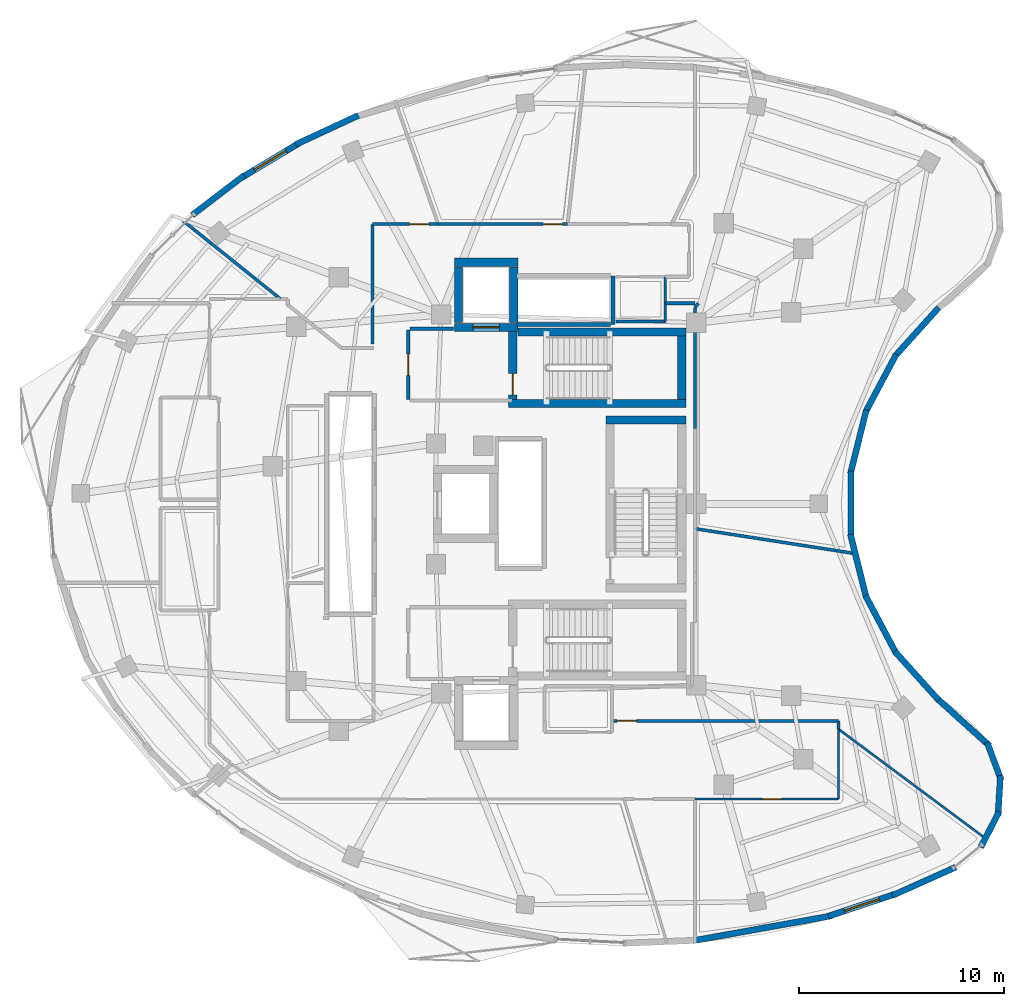
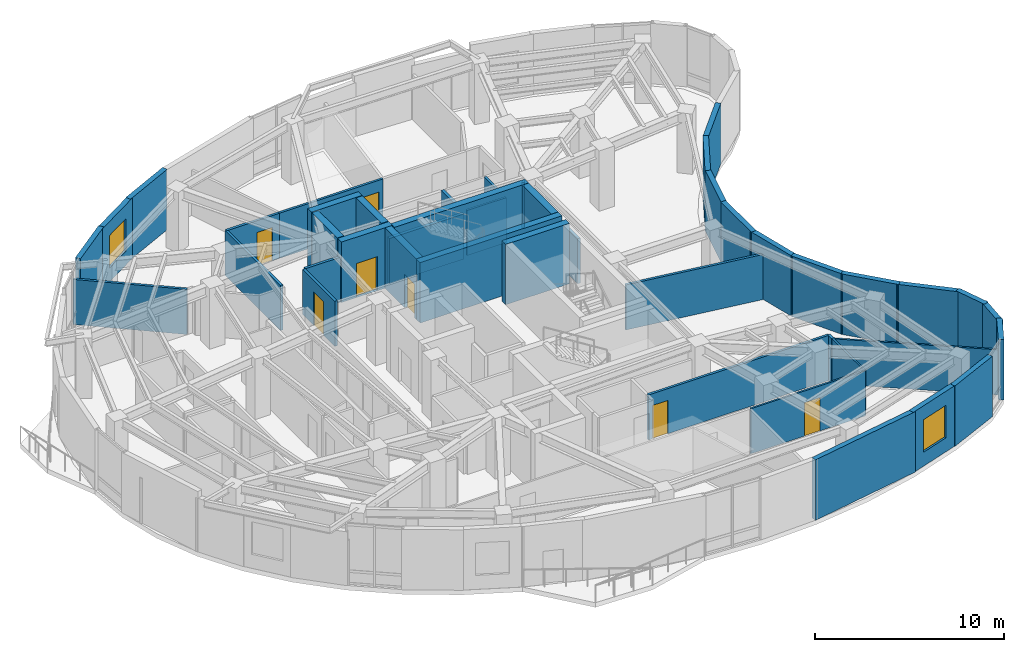
# One storey, part 10 of 14: 45 walls, 7 doors, 2 windows, 9 openings.
"""IFC4 building model written with IfcOpenShell, lengths in metres."""

import ifcopenshell
import ifcopenshell.guid

model = None  # the IFC model being written
_history = None  # IfcOwnerHistory: only IFC2X3 demands one
_inside = {}  # id of a spatial element -> (the spatial element, [elements in it])
_under = {}  # id of a project, library or spatial element -> (it, [spatial elements below it])
_declared = {}  # id of a project -> (the project, [libraries it declares])
_typed = {}  # id of a type object -> (the type object, [elements of that type])
_made_of = {}  # id of a material, layer set ... -> (it, [elements and type objects made of it])


def new_model(schema):
    """Start an empty IFC model of exactly this schema.

    Asked for "IFC4X3", IfcOpenShell would pick the latest addendum, in which some entities
    have other attributes; the version numbers below select the first issue.
    IFC2X3 requires an IfcOwnerHistory on every rooted entity: one is made here for all.
    """
    global model, _history
    if schema == "IFC4X3":
        model = ifcopenshell.file(schema_version=(4, 3, 0, 0))
    else:
        model = ifcopenshell.file(schema=schema)
    _inside.clear()
    _under.clear()
    _declared.clear()
    _typed.clear()
    _made_of.clear()
    _history = None
    if model.schema == "IFC2X3":
        org = make("IfcOrganization", Name="unknown")
        user = make(
            "IfcPersonAndOrganization",
            ThePerson=make("IfcPerson", FamilyName="unknown"),
            TheOrganization=org,
        )
        app = make(
            "IfcApplication",
            ApplicationDeveloper=org,
            Version="unknown",
            ApplicationFullName="unknown",
            ApplicationIdentifier="unknown",
        )
        _history = make(
            "IfcOwnerHistory",
            OwningUser=user,
            OwningApplication=app,
            ChangeAction="ADDED",
            CreationDate=0,
        )
    return model


def make(cls, **values):
    """One entity of the class cls with the attributes given. An attribute that is None is left unset."""
    return model.create_entity(
        cls, **{name: value for name, value in values.items() if value is not None}
    )


def rooted(cls, **values):
    """An entity with a GlobalId (a new one), such as an element, a storey or a relation."""
    return make(cls, GlobalId=ifcopenshell.guid.new(), OwnerHistory=_history, **values)


def si_unit(unit_type, name, prefix=None):
    """IfcSIUnit, for example si_unit("LENGTHUNIT", "METRE", prefix="MILLI")."""
    return make("IfcSIUnit", UnitType=unit_type, Prefix=prefix, Name=name)


def assignment(units):
    """IfcUnitAssignment: the units of a project."""
    return None if units is None else make("IfcUnitAssignment", Units=units)


def point(xyz):
    """IfcCartesianPoint."""
    return None if xyz is None else make("IfcCartesianPoint", Coordinates=xyz)


def direction(xyz):
    """IfcDirection."""
    return None if xyz is None else make("IfcDirection", DirectionRatios=xyz)


def frame(location, z_axis=None, x_axis=None):
    """IfcAxis2Placement3D, a coordinate frame: its origin and axes. An axis left out is left unset."""
    return make(
        "IfcAxis2Placement3D",
        Location=point(location),
        Axis=direction(z_axis),
        RefDirection=direction(x_axis),
    )


def frame_2d(location, x_axis=None):
    """IfcAxis2Placement2D, a coordinate frame in the plane: its origin and x axis."""
    return make(
        "IfcAxis2Placement2D", Location=point(location), RefDirection=direction(x_axis)
    )


def origin():
    """The frame at (0, 0, 0) with its axes left unset."""
    return frame((0.0, 0.0, 0.0))


def place(relative_to, where):
    """IfcLocalPlacement: puts the frame where relative to a parent placement (None: the world)."""
    return make(
        "IfcLocalPlacement", PlacementRelTo=relative_to, RelativePlacement=where
    )


def context(
    kind, dimensions, precision=None, world=None, true_north=None, identifier=None
):
    """IfcGeometricRepresentationContext, for example the 3D "Model" context."""
    return make(
        "IfcGeometricRepresentationContext",
        ContextIdentifier=identifier,
        ContextType=kind,
        CoordinateSpaceDimension=dimensions,
        Precision=precision,
        WorldCoordinateSystem=world,
        TrueNorth=true_north,
    )


def subcontext(parent, identifier, kind, view, scale=None):
    """IfcGeometricRepresentationSubContext, for example "Body" below "Model"."""
    return make(
        "IfcGeometricRepresentationSubContext",
        ContextIdentifier=identifier,
        ContextType=kind,
        ParentContext=parent,
        TargetScale=scale,
        TargetView=view,
    )


def project(units=None, contexts=None):
    """IfcProject with its units and contexts."""
    return rooted(
        "IfcProject",
        Name="project",
        RepresentationContexts=contexts,
        UnitsInContext=assignment(units),
    )


def spatial(cls, under=None, at=None, **own):
    """A site, building, storey or space (cls), placed at a placement, below another one or the project."""
    s = rooted(cls, ObjectPlacement=at, **own)
    if under is not None:
        _under.setdefault(under.id(), (under, []))[1].append(s)
    return s


def profile(cls, at=None, kind="AREA", **sizes):
    """A parametric profile (cls). Its sizes go by their IFC names, for example OverallWidth=200.0."""
    return make(cls, ProfileType=kind, Position=at, **sizes)


def rectangle(**sizes):
    """IfcRectangleProfileDef."""
    return profile("IfcRectangleProfileDef", **sizes)


def extrude(swept, where, along, depth):
    """IfcExtrudedAreaSolid: the profile swept, set in the frame where, extruded along a direction by depth."""
    return make(
        "IfcExtrudedAreaSolid",
        SweptArea=swept,
        Position=where,
        ExtrudedDirection=direction(along),
        Depth=depth,
    )


def shape(context_of_items, identifier, shape_type, items):
    """IfcShapeRepresentation: the items that make up one representation, for example the "Body"."""
    return make(
        "IfcShapeRepresentation",
        ContextOfItems=context_of_items,
        RepresentationIdentifier=identifier,
        RepresentationType=shape_type,
        Items=items,
    )


def material(Name=None, Category=None):
    """IfcMaterial."""
    return make("IfcMaterial", Name=Name, Category=Category)


def layer(
    of_material, thickness, ventilated=None, Name=None, Category=None, Priority=None
):
    """IfcMaterialLayer: one layer of a wall or slab, of a material (None: an air gap)."""
    return make(
        "IfcMaterialLayer",
        Material=of_material,
        LayerThickness=thickness,
        IsVentilated=ventilated,
        Name=Name,
        Category=Category,
        Priority=Priority,
    )


def layer_set(layers, Name=None):
    """IfcMaterialLayerSet."""
    return make("IfcMaterialLayerSet", MaterialLayers=layers, LayerSetName=Name)


def made_of(thing, what):
    """Note that an element or type object is made of a material, layer set ...; save() writes the relation."""
    if what is not None:
        _made_of.setdefault(what.id(), (what, []))[1].append(thing)
    return thing


def type_object(cls, material=None, **own):
    """A type object (cls), such as IfcWallType, which elements share."""
    return made_of(rooted(cls, **own), material)


def element(
    cls,
    number,
    at=None,
    inside=None,
    cuts=None,
    type_object=None,
    material=None,
    context=None,
    identifier="Body",
    shape_type=None,
    held_by="IfcProductDefinitionShape",
    body=None,
    shapes=None,
    **own,
):
    """One element of the class cls, such as IfcWall. Its Tag is "e" and its number.

    at: its placement. inside: the storey or other place that contains it. cuts: it is an
    opening in that element (IfcRelVoidsElement). A single representation is given by context,
    identifier, shape_type and body (its items); several are given by shapes. held_by: the class
    of the entity that holds the representations. save() writes the other relations.
    """
    e = rooted(cls, Tag="e%d" % number, ObjectPlacement=at, **own)
    if body is not None:
        shapes = [shape(context, identifier, shape_type, body)]
    if shapes is not None:
        e.Representation = make(held_by, Representations=shapes)
    if inside is not None:
        _inside.setdefault(inside.id(), (inside, []))[1].append(e)
    if cuts is not None:
        rooted(
            "IfcRelVoidsElement", RelatingBuildingElement=cuts, RelatedOpeningElement=e
        )
    if type_object is not None:
        _typed.setdefault(type_object.id(), (type_object, []))[1].append(e)
    return made_of(e, material)


def fill(opening, filler):
    """IfcRelFillsElement: the door or window that sits in an opening."""
    return rooted(
        "IfcRelFillsElement",
        RelatingOpeningElement=opening,
        RelatedBuildingElement=filler,
    )


def aggregate(whole, parts):
    """IfcRelAggregates: a whole, such as a stair, and the parts it consists of."""
    return rooted("IfcRelAggregates", RelatingObject=whole, RelatedObjects=parts)


def save(model, path):
    """Write the relations noted so far, then the file.

    IfcRelAggregates (storeys below a building ...), IfcRelContainedInSpatialStructure (elements
    in a storey), IfcRelDefinesByType, IfcRelAssociatesMaterial and IfcRelDeclares: one each for
    every whole, place, type object, material and project.
    """
    for whole, parts in _under.values():
        aggregate(whole, parts)
    for where, things in _inside.values():
        rooted(
            "IfcRelContainedInSpatialStructure",
            RelatedElements=things,
            RelatingStructure=where,
        )
    for kind, things in _typed.values():
        rooted("IfcRelDefinesByType", RelatedObjects=things, RelatingType=kind)
    for what, things in _made_of.values():
        rooted("IfcRelAssociatesMaterial", RelatedObjects=things, RelatingMaterial=what)
    for by, libraries in _declared.values():
        rooted("IfcRelDeclares", RelatingContext=by, RelatedDefinitions=libraries)
    model.write(path)


model = new_model("IFC4")

# Units and contexts
model_context = context("Model", 3, precision=1e-05, world=origin(), true_north=direction((0.0, 1.0)))
body_context = subcontext(model_context, "Body", "Model", "MODEL_VIEW")
ifc_project = project(units=[si_unit("LENGTHUNIT", "METRE"), si_unit("AREAUNIT", "SQUARE_METRE"), si_unit("VOLUMEUNIT", "CUBIC_METRE"), si_unit("PLANEANGLEUNIT", "RADIAN"), si_unit("MASSUNIT", "GRAM", prefix="KILO")], contexts=[model_context])

# Site, building, storey
site_placement = place(None, origin())
site = spatial("IfcSite", under=ifc_project, at=site_placement, CompositionType="ELEMENT")
building_placement = place(site_placement, origin())
building = spatial("IfcBuilding", under=site, at=building_placement, Name="Korentha Bioscience Tower", CompositionType="ELEMENT")
storey_placement = place(building_placement, frame((0.0, 0.0, 247.800048828125)))
storey = spatial("IfcBuildingStorey", under=building, at=storey_placement, Name="L57", CompositionType="ELEMENT", Elevation=247.800048828125)

# Wall, opening, door
ifc_material_1 = material(Name="Double-Stud Acoustic Gypsum", Category="gypsum")
ifc_layer_1 = layer(ifc_material_1, 0.14990234375, Name="Double-Stud Acoustic Gypsum")
ifc_layer_set_1 = layer_set([ifc_layer_1], Name="Double-Stud Acoustic Gypsum (IW-L150)")
wall_type_1 = type_object("IfcWallType", Name="Acoustic Laboratory Partition Wall 150", PredefinedType="PARTITIONING", material=ifc_layer_set_1)
wall_1_placement = place(storey_placement, frame((44.5, 16.409912109375, 0.0), z_axis=(0.0, 0.0, 1.0), x_axis=(-1.0, 0.0, 0.0)))
wall_1 = element("IfcWall", 1, at=wall_1_placement, inside=storey, type_object=wall_type_1, Name="L57 Daylight Break and Coffee Bar 06 Entrance Wall", PredefinedType="PARTITIONING", context=body_context, shape_type="SweptSolid", body=[
    extrude(rectangle(XDim=11.0400390625, YDim=0.14990234375, at=frame_2d((5.52001953125, 0.0))), origin(), (0.0, 0.0, 1.0), 2.909912109375),
])
opening_1_placement = place(wall_1_placement, frame((9.85009765625, 0.0, 0.0)))
opening_1 = element("IfcOpeningElement", 2, at=opening_1_placement, cuts=wall_1, Name="Opening ID-10L", PredefinedType="OPENING", context=body_context, shape_type="SweptSolid", body=[
    extrude(rectangle(XDim=0.949951171875, YDim=2.14990234375, at=frame_2d((0.47509765625, 1.074951171875))), frame((0.0, 0.08984375, 0.0), z_axis=(0.0, -1.0, 0.0), x_axis=(1.0, 0.0, 0.0)), (0.0, 0.0, 1.0), 0.1796875),
])
ifc_material_2 = material(Name="Phenolic Laminate Timber Core", Category="wood")
door_type_1 = type_object("IfcDoorType", Name="Laboratory Single Leaf Door 950x2150 Left", OperationType="SINGLE_SWING_LEFT", PredefinedType="DOOR", material=ifc_material_2)
door_1_placement = place(opening_1_placement, origin())
door_1 = element("IfcDoor", 3, at=door_1_placement, inside=storey, type_object=door_type_1, Name="L57 Daylight Break and Coffee Bar 06 Door", OperationType="SINGLE_SWING_LEFT", OverallHeight=2.14990234375, OverallWidth=0.949951171875, PredefinedType="DOOR", context=body_context, shape_type="SweptSolid", body=[
    extrude(rectangle(XDim=0.949951171875, YDim=2.14990234375, at=frame_2d((0.47509765625, 1.074951171875))), frame((0.0, 0.02490234375, 0.0), z_axis=(0.0, -1.0, 0.0), x_axis=(1.0, 0.0, 0.0)), (0.0, 0.0, 1.0), 0.050048828125),
])
fill(opening_1, door_1)

wall_2_placement = place(storey_placement, frame((24.9482421875, 40.659912109375, 0.0), z_axis=(0.0, 0.0, 1.0), x_axis=(-1.0, 0.0, 0.0)))
wall_2 = element("IfcWall", 4, at=wall_2_placement, inside=storey, type_object=wall_type_1, Name="L57 Lyophilization Freeze-Drying Room 10 Entrance Wall", PredefinedType="PARTITIONING", context=body_context, shape_type="SweptSolid", body=[
    extrude(rectangle(XDim=3.1982421875, YDim=0.14990234375, at=frame_2d((1.59912109375, 0.0))), origin(), (0.0, 0.0, 1.0), 2.909912109375),
])
opening_2_placement = place(wall_2_placement, frame((0.43701171875, 0.0, 0.0)))
opening_2 = element("IfcOpeningElement", 5, at=opening_2_placement, cuts=wall_2, Name="Opening ID-10L", PredefinedType="OPENING", context=body_context, shape_type="SweptSolid", body=[
    extrude(rectangle(XDim=0.949951171875, YDim=2.14990234375, at=frame_2d((0.47509765625, 1.074951171875))), frame((0.0, 0.08984375, 0.0), z_axis=(0.0, -1.0, 0.0), x_axis=(1.0, 0.0, 0.0)), (0.0, 0.0, 1.0), 0.1796875),
])
door_2_placement = place(opening_2_placement, origin())
door_2 = element("IfcDoor", 6, at=door_2_placement, inside=storey, type_object=door_type_1, Name="L57 Lyophilization Freeze-Drying Room 10 Door", OperationType="SINGLE_SWING_LEFT", OverallHeight=2.14990234375, OverallWidth=0.949951171875, PredefinedType="DOOR", context=body_context, shape_type="SweptSolid", body=[
    extrude(rectangle(XDim=0.949951171875, YDim=2.14990234375, at=frame_2d((0.47509765625, 1.074951171875))), frame((0.0, 0.02490234375, 0.0), z_axis=(0.0, -1.0, 0.0), x_axis=(1.0, 0.0, 0.0)), (0.0, 0.0, 1.0), 0.050048828125),
])
fill(opening_2, door_2)

# Walls
wall_3_placement = place(storey_placement, frame((37.502197265625, 25.7900390625, 0.0), z_axis=(0.0, 0.0, 1.0), x_axis=(0.988150450313, -0.15348839548, 0.0)))
element("IfcWall", 7, at=wall_3_placement, inside=storey, type_object=wall_type_1, Name="L57 Interior Partition 050", PredefinedType="PARTITIONING", context=body_context, shape_type="SweptSolid", body=[
    extrude(rectangle(XDim=7.97216796875, YDim=0.14990234375, at=frame_2d((3.986083984375, 0.0))), origin(), (0.0, 0.0, 1.0), 2.909912109375),
])
wall_4_placement = place(storey_placement, frame((44.510009765625, 16.010009765625, 0.0), z_axis=(0.0, 0.0, 1.0), x_axis=(0.0, 1.0, 0.0)))
element("IfcWall", 8, at=wall_4_placement, inside=storey, type_object=wall_type_1, Name="L57 Interior Partition 051", PredefinedType="PARTITIONING", context=body_context, shape_type="SweptSolid", body=[
    extrude(rectangle(XDim=0.389892578125, YDim=0.14990234375, at=frame_2d((0.19482421875, 0.0))), origin(), (0.0, 0.0, 1.0), 2.909912109375),
])
wall_5_placement = place(storey_placement, frame((21.739990234375, 40.64990234375, 0.0), z_axis=(0.0, 0.0, 1.0), x_axis=(0.0, -1.0, 0.0)))
element("IfcWall", 9, at=wall_5_placement, inside=storey, type_object=wall_type_1, Name="L57 Interior Partition 064", PredefinedType="PARTITIONING", context=body_context, shape_type="SweptSolid", body=[
    extrude(rectangle(XDim=5.849853515625, YDim=0.14990234375, at=frame_2d((2.9248046875, 0.0))), origin(), (0.0, 0.0, 1.0), 2.909912109375),
])
wall_6_placement = place(storey_placement, frame((17.2529296875, 37.010009765625, 0.0), z_axis=(0.0, 0.0, 1.0), x_axis=(-0.779948830135, 0.625843288987, 0.0)))
element("IfcWall", 10, at=wall_6_placement, inside=storey, type_object=wall_type_1, Name="L57 Interior Partition 069", PredefinedType="PARTITIONING", context=body_context, shape_type="SweptSolid", body=[
    extrude(rectangle(XDim=6.08984375, YDim=0.14990234375, at=frame_2d((3.044921875, 0.0))), origin(), (0.0, 0.0, 1.0), 2.909912109375),
])

# Wall, opening, door
ifc_material_3 = material(Name="Insulated Aluminium Honeycomb Panel", Category="aluminium")
ifc_layer_2 = layer(ifc_material_3, 0.139892578125, Name="Insulated Aluminium Honeycomb Panel")
ifc_layer_set_2 = layer_set([ifc_layer_2], Name="Insulated Aluminium Honeycomb Panel (IW-F60)")
wall_type_2 = type_object("IfcWallType", Name="Cleanroom Flush Metal Panel Partition 140", PredefinedType="PARTITIONING", material=ifc_layer_set_2)
wall_7_placement = place(storey_placement, frame((31.2666015625, 40.659912109375, 0.0), z_axis=(0.0, 0.0, 1.0), x_axis=(-1.0, 0.0, 0.0)))
wall_7 = element("IfcWall", 11, at=wall_7_placement, inside=storey, type_object=wall_type_2, Name="L57 Vaccine Formulation Cleanroom 09 Entrance Wall", PredefinedType="PARTITIONING", context=body_context, shape_type="SweptSolid", body=[
    extrude(rectangle(XDim=6.307861328125, YDim=0.139892578125, at=frame_2d((3.15380859375, 0.0))), origin(), (0.0, 0.0, 1.0), 2.909912109375),
])
opening_3_placement = place(wall_7_placement, frame((0.239990234375, 0.0, 0.0)))
opening_3 = element("IfcOpeningElement", 12, at=opening_3_placement, cuts=wall_7, Name="Opening ID-10R", PredefinedType="OPENING", context=body_context, shape_type="SweptSolid", body=[
    extrude(rectangle(XDim=0.949951171875, YDim=2.14990234375, at=frame_2d((0.47509765625, 1.074951171875))), frame((0.0, 0.0849609375, 0.0), z_axis=(0.0, -1.0, 0.0), x_axis=(1.0, 0.0, 0.0)), (0.0, 0.0, 1.0), 0.169677734375),
])
door_type_2 = type_object("IfcDoorType", Name="Laboratory Single Leaf Door 950x2150 Right", OperationType="SINGLE_SWING_RIGHT", PredefinedType="DOOR", material=ifc_material_2)
door_3_placement = place(opening_3_placement, origin())
door_3 = element("IfcDoor", 13, at=door_3_placement, inside=storey, type_object=door_type_2, Name="L57 Vaccine Formulation Cleanroom 09 Door", OperationType="SINGLE_SWING_RIGHT", OverallHeight=2.14990234375, OverallWidth=0.949951171875, PredefinedType="DOOR", context=body_context, shape_type="SweptSolid", body=[
    extrude(rectangle(XDim=0.949951171875, YDim=2.14990234375, at=frame_2d((0.47509765625, 1.074951171875))), frame((0.0, 0.02490234375, 0.0), z_axis=(0.0, -1.0, 0.0), x_axis=(1.0, 0.0, 0.0)), (0.0, 0.0, 1.0), 0.050048828125),
])
fill(opening_3, door_3)

ifc_material_4 = material(Name="Fire-Rated Framed Glass", Category="glass")
ifc_layer_3 = layer(ifc_material_4, 0.110107421875, Name="Fire-Rated Framed Glass")
ifc_layer_set_3 = layer_set([ifc_layer_3], Name="Fire-Rated Framed Glass (IW-G110)")
wall_type_3 = type_object("IfcWallType", Name="Demountable Glazed Office Partition 110", PredefinedType="MOVABLE", material=ifc_layer_set_3)
wall_8_placement = place(storey_placement, frame((37.508056640625, 12.590087890625, 0.0), z_axis=(0.0, 0.0, 1.0), x_axis=(1.0, 0.0, 0.0)))
wall_8 = element("IfcWall", 14, at=wall_8_placement, inside=storey, type_object=wall_type_3, Name="L57 Grant Review Seminar Room 05 Entrance Wall", PredefinedType="MOVABLE", context=body_context, shape_type="SweptSolid", body=[
    extrude(rectangle(XDim=6.991943359375, YDim=0.110107421875, at=frame_2d((3.49609375, 0.0))), origin(), (0.0, 0.0, 1.0), 2.909912109375),
])
opening_4_placement = place(wall_8_placement, frame((3.28369140625, 0.0, 0.0)))
opening_4 = element("IfcOpeningElement", 15, at=opening_4_placement, cuts=wall_8, Name="Opening ID-10R", PredefinedType="OPENING", context=body_context, shape_type="SweptSolid", body=[
    extrude(rectangle(XDim=0.949951171875, YDim=2.14990234375, at=frame_2d((0.47509765625, 1.074951171875))), frame((0.0, 0.06982421875, 0.0), z_axis=(0.0, -1.0, 0.0), x_axis=(1.0, 0.0, 0.0)), (0.0, 0.0, 1.0), 0.139892578125),
])
door_4_placement = place(opening_4_placement, origin())
door_4 = element("IfcDoor", 16, at=door_4_placement, inside=storey, type_object=door_type_2, Name="L57 Grant Review Seminar Room 05 Door", OperationType="SINGLE_SWING_RIGHT", OverallHeight=2.14990234375, OverallWidth=0.949951171875, PredefinedType="DOOR", context=body_context, shape_type="SweptSolid", body=[
    extrude(rectangle(XDim=0.949951171875, YDim=2.14990234375, at=frame_2d((0.47509765625, 1.074951171875))), frame((0.0, 0.02490234375, 0.0), z_axis=(0.0, -1.0, 0.0), x_axis=(1.0, 0.0, 0.0)), (0.0, 0.0, 1.0), 0.050048828125),
])
fill(opening_4, door_4)

# Walls
wall_9_placement = place(storey_placement, frame((44.510009765625, 12.60009765625, 0.0), z_axis=(0.0, 0.0, 1.0), x_axis=(0.0, 1.0, 0.0)))
element("IfcWall", 17, at=wall_9_placement, inside=storey, type_object=wall_type_3, Name="L57 Interior Partition 045", PredefinedType="MOVABLE", context=body_context, shape_type="SweptSolid", body=[
    extrude(rectangle(XDim=3.39990234375, YDim=0.110107421875, at=frame_2d((1.699951171875, 0.0))), origin(), (0.0, 0.0, 1.0), 2.909912109375),
])
wall_10_placement = place(storey_placement, frame((44.510009765625, 16.0, 0.0), z_axis=(0.0, 0.0, 1.0), x_axis=(0.802375580178, -0.596819426907, 0.0)))
element("IfcWall", 18, at=wall_10_placement, inside=storey, type_object=wall_type_3, Name="L57 Interior Partition 046", PredefinedType="MOVABLE", context=body_context, shape_type="SweptSolid", body=[
    extrude(rectangle(XDim=9.052734375, YDim=0.110107421875, at=frame_2d((4.5263671875, 0.0))), origin(), (0.0, 0.0, 1.0), 2.909912109375),
])

# Wall, opening, door
ifc_material_5 = material(Name="Gypsum-Clad Steel Stud", Category="steel")
ifc_layer_4 = layer(ifc_material_5, 0.159912109375, Name="Gypsum-Clad Steel Stud")
ifc_layer_set_4 = layer_set([ifc_layer_4], Name="Gypsum-Clad Steel Stud (IW-C160)")
wall_type_4 = type_object("IfcWallType", Name="Fire-Rated Corridor Partition Wall 160", PredefinedType="PARTITIONING", material=ifc_layer_set_4)
wall_11_placement = place(storey_placement, frame((23.5, 32.10009765625, 0.0), z_axis=(0.0, 0.0, 1.0), x_axis=(0.0, 1.0, 0.0)))
wall_11 = element("IfcWall", 19, at=wall_11_placement, inside=storey, type_object=wall_type_4, Name="L57 FFLN-CW Rated Enclosure Wall", PredefinedType="PARTITIONING", context=body_context, shape_type="SweptSolid", body=[
    extrude(rectangle(XDim=3.39990234375, YDim=0.159912109375, at=frame_2d((1.699951171875, 0.0))), origin(), (0.0, 0.0, 1.0), 2.909912109375),
])
opening_5_placement = place(wall_11_placement, frame((1.175048828125, 0.0, 0.0)))
opening_5 = element("IfcOpeningElement", 20, at=opening_5_placement, cuts=wall_11, Name="Opening FD-90R", PredefinedType="OPENING", context=body_context, shape_type="SweptSolid", body=[
    extrude(rectangle(XDim=1.050048828125, YDim=2.14990234375, at=frame_2d((0.52490234375, 1.074951171875))), frame((0.0, 0.0947265625, 0.0), z_axis=(0.0, -1.0, 0.0), x_axis=(1.0, 0.0, 0.0)), (0.0, 0.0, 1.0), 0.189697265625),
])
ifc_material_6 = material(Name="Powder-Coated Fire-Rated Steel", Category="steel")
door_type_3 = type_object("IfcDoorType", Name="Stairwell Fire Exit Door 1050x2150 Right", OperationType="SINGLE_SWING_RIGHT", PredefinedType="DOOR", material=ifc_material_6)
door_5_placement = place(opening_5_placement, origin())
door_5 = element("IfcDoor", 21, at=door_5_placement, inside=storey, type_object=door_type_3, Name="L57 North Firefighting Lobby Door", OperationType="SINGLE_SWING_RIGHT", OverallHeight=2.14990234375, OverallWidth=1.050048828125, PredefinedType="DOOR", context=body_context, shape_type="SweptSolid", body=[
    extrude(rectangle(XDim=1.050048828125, YDim=2.14990234375, at=frame_2d((0.52490234375, 1.074951171875))), frame((0.0, 0.02490234375, 0.0), z_axis=(0.0, -1.0, 0.0), x_axis=(1.0, 0.0, 0.0)), (0.0, 0.0, 1.0), 0.050048828125),
])
fill(opening_5, door_5)

# Walls
wall_12_placement = place(storey_placement, frame((23.580078125, 35.550048828125, 0.0), z_axis=(0.0, 0.0, 1.0), x_axis=(1.0, 0.0, 0.0)))
element("IfcWall", 22, at=wall_12_placement, inside=storey, type_object=wall_type_4, Name="L57 Firefighting Lobby Return Wall FFLN-N", PredefinedType="PARTITIONING", context=body_context, shape_type="SweptSolid", body=[
    extrude(rectangle(XDim=2.119873046875, YDim=0.159912109375, at=frame_2d((1.06005859375, 0.0))), origin(), (0.0, 0.0, 1.0), 2.909912109375),
])
wall_13_placement = place(storey_placement, frame((37.501953125, 30.676025390625, 0.0), z_axis=(0.0, 0.0, 1.0), x_axis=(0.0, 1.0, 0.0)))
element("IfcWall", 23, at=wall_13_placement, inside=storey, type_object=wall_type_4, Name="L57 Interior Partition 056", PredefinedType="PARTITIONING", context=body_context, shape_type="SweptSolid", body=[
    extrude(rectangle(XDim=5.92431640625, YDim=0.159912109375, at=frame_2d((2.962158203125, 0.0))), origin(), (0.0, 0.0, 1.0), 2.909912109375),
])
wall_14_placement = place(storey_placement, frame((37.502197265625, 36.6005859375, 0.0), z_axis=(0.0, 0.0, 1.0), x_axis=(0.629198228668, 0.777244870707, 0.0)))
element("IfcWall", 24, at=wall_14_placement, inside=storey, type_object=wall_type_4, Name="L57 Interior Partition 057", PredefinedType="PARTITIONING", context=body_context, shape_type="SweptSolid", body=[
    extrude(rectangle(XDim=0.250732421875, YDim=0.159912109375, at=frame_2d((0.12548828125, 0.0))), origin(), (0.0, 0.0, 1.0), 2.909912109375),
])
wall_15_placement = place(storey_placement, frame((37.497802734375, 36.802001953125, 0.0), z_axis=(0.0, 0.0, 1.0), x_axis=(-1.0, 0.0, 0.0)))
element("IfcWall", 25, at=wall_15_placement, inside=storey, type_object=wall_type_4, Name="L57 Interior Partition 058", PredefinedType="PARTITIONING", context=body_context, shape_type="SweptSolid", body=[
    extrude(rectangle(XDim=1.437744140625, YDim=0.159912109375, at=frame_2d((0.71875, 0.0))), origin(), (0.0, 0.0, 1.0), 2.909912109375),
])

# Wall, opening, window
ifc_material_7 = material(Name="Honed Limestone Precast Concrete C40", Category="masonry")
ifc_layer_5 = layer(ifc_material_7, 0.300048828125, Name="Honed Limestone Precast Concrete C40")
ifc_layer_set_5 = layer_set([ifc_layer_5], Name="Honed Limestone Precast Concrete C40 (EW-ST300)")
wall_type_5 = type_object("IfcWallType", Name="Honed Limestone Cavity Spandrel Wall 300", PredefinedType="STANDARD", material=ifc_layer_set_5)
wall_16_placement = place(storey_placement, frame((18.1484375, 44.6064453125, 0.0), z_axis=(0.0, 0.0, 1.0), x_axis=(-0.857526080841, -0.514440492844, 0.0)))
wall_16 = element("IfcWall", 26, at=wall_16_placement, inside=storey, type_object=wall_type_5, Name="L57 Honed Limestone Spandrel Wall 11", PredefinedType="STANDARD", context=body_context, shape_type="SweptSolid", body=[
    extrude(rectangle(XDim=3.24853515625, YDim=0.300048828125, at=frame_2d((1.624267578125, 0.0))), origin(), (0.0, 0.0, 1.0), 3.89990234375),
])
opening_6_placement = place(wall_16_placement, frame((0.72412109375, 0.0, 0.89990234375)))
opening_6 = element("IfcOpeningElement", 27, at=opening_6_placement, cuts=wall_16, Name="Opening WN-01", PredefinedType="OPENING", context=body_context, shape_type="SweptSolid", body=[
    extrude(rectangle(XDim=1.800048828125, YDim=2.10009765625, at=frame_2d((0.89990234375, 1.050048828125))), frame((0.0, 0.1650390625, 0.0), z_axis=(0.0, -1.0, 0.0), x_axis=(1.0, 0.0, 0.0)), (0.0, 0.0, 1.0), 0.329833984375),
])
ifc_material_8 = material(Name="Thermally Broken Aluminium Triple Glazing", Category="aluminium")
window_type = type_object("IfcWindowType", Name="Triple-Glazed Fixed Bioscience Window 1800x2100", PartitioningType="SINGLE_PANEL", PredefinedType="WINDOW", material=ifc_material_8)
window_1_placement = place(opening_6_placement, origin())
window_1 = element("IfcWindow", 28, at=window_1_placement, inside=storey, type_object=window_type, Name="L57 Facade Window 11", OverallHeight=2.10009765625, OverallWidth=1.800048828125, PartitioningType="SINGLE_PANEL", PredefinedType="WINDOW", context=body_context, shape_type="SweptSolid", body=[
    extrude(rectangle(XDim=1.800048828125, YDim=2.10009765625, at=frame_2d((0.89990234375, 1.050048828125))), frame((0.0, 0.030029296875, 0.0), z_axis=(0.0, -1.0, 0.0), x_axis=(1.0, 0.0, 0.0)), (0.0, 0.0, 1.0), 0.06005859375),
])
fill(opening_6, window_1)

wall_17_placement = place(storey_placement, frame((44.0244140625, 6.8701171875, 0.0), z_axis=(0.0, 0.0, 1.0), x_axis=(0.94891855173, 0.315521127948, 0.0)))
wall_17 = element("IfcWall", 29, at=wall_17_placement, inside=storey, type_object=wall_type_5, Name="L57 Honed Limestone Spandrel Wall 35", PredefinedType="STANDARD", context=body_context, shape_type="SweptSolid", body=[
    extrude(rectangle(XDim=3.4208984375, YDim=0.300048828125, at=frame_2d((1.71044921875, 0.0))), origin(), (0.0, 0.0, 1.0), 3.89990234375),
])
opening_7_placement = place(wall_17_placement, frame((0.810546875, 0.0, 0.89990234375)))
opening_7 = element("IfcOpeningElement", 30, at=opening_7_placement, cuts=wall_17, Name="Opening WN-01", PredefinedType="OPENING", context=body_context, shape_type="SweptSolid", body=[
    extrude(rectangle(XDim=1.800048828125, YDim=2.10009765625, at=frame_2d((0.89990234375, 1.050048828125))), frame((0.0, 0.1650390625, 0.0), z_axis=(0.0, -1.0, 0.0), x_axis=(1.0, 0.0, 0.0)), (0.0, 0.0, 1.0), 0.329833984375),
])
window_2_placement = place(opening_7_placement, origin())
window_2 = element("IfcWindow", 31, at=window_2_placement, inside=storey, type_object=window_type, Name="L57 Facade Window 35", OverallHeight=2.10009765625, OverallWidth=1.800048828125, PartitioningType="SINGLE_PANEL", PredefinedType="WINDOW", context=body_context, shape_type="SweptSolid", body=[
    extrude(rectangle(XDim=1.800048828125, YDim=2.10009765625, at=frame_2d((0.89990234375, 1.050048828125))), frame((0.0, 0.030029296875, 0.0), z_axis=(0.0, -1.0, 0.0), x_axis=(1.0, 0.0, 0.0)), (0.0, 0.0, 1.0), 0.06005859375),
])
fill(opening_7, window_2)

# Walls
wall_18_placement = place(storey_placement, frame((21.06396484375, 45.97314453125, 0.0), z_axis=(0.0, 0.0, 1.0), x_axis=(-0.907117430559, -0.420877615438, 0.0)))
element("IfcWall", 32, at=wall_18_placement, inside=storey, type_object=wall_type_5, Name="L57 Limestone Perimeter Closure Wall 10", PredefinedType="STANDARD", context=body_context, shape_type="SweptSolid", body=[
    extrude(rectangle(XDim=3.376708984375, YDim=0.300048828125, at=frame_2d((1.6884765625, 0.0))), origin(), (0.0, 0.0, 1.0), 3.89990234375),
])
wall_19_placement = place(storey_placement, frame((15.480712890625, 43.040771484375, 0.0), z_axis=(0.0, 0.0, 1.0), x_axis=(-0.794422949099, -0.60736494626, 0.0)))
element("IfcWall", 33, at=wall_19_placement, inside=storey, type_object=wall_type_5, Name="L57 Limestone Perimeter Closure Wall 12", PredefinedType="STANDARD", context=body_context, shape_type="SweptSolid", body=[
    extrude(rectangle(XDim=3.1923828125, YDim=0.300048828125, at=frame_2d((1.59619140625, 0.0))), origin(), (0.0, 0.0, 1.0), 3.89990234375),
])
wall_20_placement = place(storey_placement, frame((37.385009765625, 5.666015625, 0.0), z_axis=(0.0, 0.0, 1.0), x_axis=(0.984214602488, 0.176979140719, 0.0)))
element("IfcWall", 34, at=wall_20_placement, inside=storey, type_object=wall_type_5, Name="L57 Limestone Perimeter Closure Wall 33", PredefinedType="STANDARD", context=body_context, shape_type="SweptSolid", body=[
    extrude(rectangle(XDim=6.909912109375, YDim=0.300048828125, at=frame_2d((3.455078125, 0.0))), origin(), (0.0, 0.0, 1.0), 3.89990234375),
])
wall_21_placement = place(storey_placement, frame((47.134033203125, 7.873779296875, 0.0), z_axis=(0.0, 0.0, 1.0), x_axis=(0.912633606441, 0.408778546886, 0.0)))
element("IfcWall", 35, at=wall_21_placement, inside=storey, type_object=wall_type_5, Name="L57 Limestone Perimeter Closure Wall 36", PredefinedType="STANDARD", context=body_context, shape_type="SweptSolid", body=[
    extrude(rectangle(XDim=3.386962890625, YDim=0.300048828125, at=frame_2d((1.693359375, 0.0))), origin(), (0.0, 0.0, 1.0), 3.89990234375),
])
wall_22_placement = place(storey_placement, frame((51.45263671875, 10.227783203125, 0.0), z_axis=(0.0, 0.0, 1.0), x_axis=(0.45760880089, 0.889153634277, 0.0)))
element("IfcWall", 36, at=wall_22_placement, inside=storey, type_object=wall_type_5, Name="L57 Limestone Perimeter Closure Wall 38", PredefinedType="STANDARD", context=body_context, shape_type="SweptSolid", body=[
    extrude(rectangle(XDim=1.967041015625, YDim=0.300048828125, at=frame_2d((0.9833984375, 0.0))), origin(), (0.0, 0.0, 1.0), 3.89990234375),
])
for number, where, z_axis, x_axis, name in (
    (37, (52.2958984375, 11.770263671875, 0.0), (0.0, 0.0, 1.0), (0.060191547909, 0.998186845015, 0.0), "L57 Limestone Perimeter Closure Wall 39"),
    (38, (52.44580078125, 13.521728515625, 0.0), (0.0, 0.0, 1.0), (-0.347476023118, 0.9376888681, 0.0), "L57 Limestone Perimeter Closure Wall 40"),
):
    element("IfcWall", number, at=place(storey_placement, frame(where, z_axis=z_axis, x_axis=x_axis)), inside=storey, type_object=wall_type_5, Name=name, PredefinedType="STANDARD", context=body_context, shape_type="SweptSolid", body=[
        extrude(rectangle(XDim=1.96728515625, YDim=0.300048828125, at=frame_2d((0.983642578125, 0.0))), origin(), (0.0, 0.0, 1.0), 3.89990234375),
    ])
wall_23_placement = place(storey_placement, frame((51.886962890625, 15.1826171875, 0.0), z_axis=(0.0, 0.0, 1.0), x_axis=(-0.742603888691, 0.669730889612, 0.0)))
element("IfcWall", 39, at=wall_23_placement, inside=storey, type_object=wall_type_5, Name="L57 Limestone Perimeter Closure Wall 41", PredefinedType="STANDARD", context=body_context, shape_type="SweptSolid", body=[
    extrude(rectangle(XDim=3.484130859375, YDim=0.300048828125, at=frame_2d((1.7421875, 0.0))), origin(), (0.0, 0.0, 1.0), 3.89990234375),
])
wall_24_placement = place(storey_placement, frame((49.40234375, 17.413330078125, 0.0), z_axis=(0.0, 0.0, 1.0), x_axis=(-0.669137170675, 0.743138914888, 0.0)))
element("IfcWall", 40, at=wall_24_placement, inside=storey, type_object=wall_type_5, Name="L57 Limestone Perimeter Closure Wall 43", PredefinedType="STANDARD", context=body_context, shape_type="SweptSolid", body=[
    extrude(rectangle(XDim=3.206787109375, YDim=0.300048828125, at=frame_2d((1.603515625, 0.0))), origin(), (0.0, 0.0, 1.0), 3.89990234375),
])
for number, where, z_axis, x_axis, name in (
    (41, (47.328125, 19.694091796875, 0.0), (0.0, 0.0, 1.0), (-0.469457656924, 0.882954986596, 0.0), "L57 Limestone Perimeter Closure Wall 45"),
    (42, (45.867431640625, 22.4091796875, 0.0), (0.0, 0.0, 1.0), (-0.241890637233, 0.970303519327, 0.0), "L57 Limestone Perimeter Closure Wall 47"),
    (43, (45.10693359375, 25.396728515625, 0.0), (0.0, 0.0, 1.0), (0.0, 1.0, 0.0), "L57 Limestone Perimeter Closure Wall 49"),
    (44, (45.091796875, 28.4794921875, 0.0), (0.0, 0.0, 1.0), (0.241890637233, 0.970303519327, 0.0), "L57 Limestone Perimeter Closure Wall 51"),
    (45, (45.82275390625, 31.474609375, 0.0), (0.0, 0.0, 1.0), (0.469457656924, 0.882954986596, 0.0), "L57 Limestone Perimeter Closure Wall 53"),
):
    element("IfcWall", number, at=place(storey_placement, frame(where, z_axis=z_axis, x_axis=x_axis)), inside=storey, type_object=wall_type_5, Name=name, PredefinedType="STANDARD", context=body_context, shape_type="SweptSolid", body=[
        extrude(rectangle(XDim=3.20654296875, YDim=0.300048828125, at=frame_2d((1.603271484375, 0.0))), origin(), (0.0, 0.0, 1.0), 3.89990234375),
    ])
wall_25_placement = place(storey_placement, frame((47.256591796875, 34.20361328125, 0.0), z_axis=(0.0, 0.0, 1.0), x_axis=(0.669137170675, 0.743138914888, 0.0)))
element("IfcWall", 46, at=wall_25_placement, inside=storey, type_object=wall_type_5, Name="L57 Limestone Perimeter Closure Wall 55", PredefinedType="STANDARD", context=body_context, shape_type="SweptSolid", body=[
    extrude(rectangle(XDim=3.206787109375, YDim=0.300048828125, at=frame_2d((1.603515625, 0.0))), origin(), (0.0, 0.0, 1.0), 3.89990234375),
])
ifc_material_9 = material(Name="Autoclaved Aerated Concrete Block C25", Category="concrete")
ifc_layer_6 = layer(ifc_material_9, 0.199951171875, Name="Autoclaved Aerated Concrete Block C25")
ifc_layer_set_6 = layer_set([ifc_layer_6], Name="Autoclaved Aerated Concrete Block C25 (IW-S200)")
wall_type_6 = type_object("IfcWallType", Name="Lift and Riser Shaft Enclosure Wall 200", PredefinedType="PARTITIONING", material=ifc_layer_set_6)
wall_26_placement = place(storey_placement, frame((33.489990234375, 35.760009765625, 0.0), z_axis=(0.0, 0.0, 1.0), x_axis=(0.0, 1.0, 0.0)))
element("IfcWall", 47, at=wall_26_placement, inside=storey, type_object=wall_type_6, Name="L57 Lift Bank OBS Shaft Wall +X", PredefinedType="PARTITIONING", context=body_context, shape_type="SweptSolid", body=[
    extrude(rectangle(XDim=2.3798828125, YDim=0.199951171875, at=frame_2d((1.18994140625, 0.0))), origin(), (0.0, 0.0, 1.0), 2.909912109375),
])
wall_27_placement = place(storey_placement, frame((28.800048828125, 35.760009765625, 0.0), z_axis=(0.0, 0.0, 1.0), x_axis=(1.0, 0.0, 0.0)))
element("IfcWall", 48, at=wall_27_placement, inside=storey, type_object=wall_type_6, Name="L57 Lift Bank OBS Shaft Wall -Y", PredefinedType="PARTITIONING", context=body_context, shape_type="SweptSolid", body=[
    extrude(rectangle(XDim=4.570068359375, YDim=0.199951171875, at=frame_2d((2.28515625, 0.0))), origin(), (0.0, 0.0, 1.0), 2.909912109375),
])
ifc_material_10 = material(Name="Concrete C65", Category="concrete")
ifc_layer_7 = layer(ifc_material_10, 0.39990234375, Name="Concrete C65")
ifc_layer_set_7 = layer_set([ifc_layer_7], Name="Concrete C65 (CW-C65)")
wall_type_7 = type_object("IfcWallType", Name="Mid-Rise Core Shear Wall 400", PredefinedType="SHEAR", material=ifc_layer_set_7)
wall_28_placement = place(storey_placement, frame((28.85205078125, 35.39990234375, 0.0), z_axis=(0.0, 0.0, 1.0), x_axis=(1.0, 0.0, 0.0)))
element("IfcWall", 49, at=wall_28_placement, inside=storey, type_object=wall_type_7, Name="L57 Core Shear Wall ST1-N", PredefinedType="SHEAR", context=body_context, shape_type="SweptSolid", body=[
    extrude(rectangle(XDim=8.197998046875, YDim=0.39990234375, at=frame_2d((4.09912109375, 0.0))), origin(), (0.0, 0.0, 1.0), 3.89990234375),
])
wall_29_placement = place(storey_placement, frame((28.39990234375, 31.89990234375, 0.0), z_axis=(0.0, 0.0, 1.0), x_axis=(1.0, 0.0, 0.0)))
element("IfcWall", 50, at=wall_29_placement, inside=storey, type_object=wall_type_7, Name="L57 Core Shear Wall ST1-S", PredefinedType="SHEAR", context=body_context, shape_type="SweptSolid", body=[
    extrude(rectangle(XDim=8.650146484375, YDim=0.39990234375, at=frame_2d((4.3251953125, 0.0))), origin(), (0.0, 0.0, 1.0), 3.89990234375),
])
wall_30_placement = place(storey_placement, frame((36.85009765625, 32.110107421875, 0.0), z_axis=(0.0, 0.0, 1.0), x_axis=(0.0, 1.0, 0.0)))
element("IfcWall", 51, at=wall_30_placement, inside=storey, type_object=wall_type_7, Name="L57 Core Shear Wall ST1-E", PredefinedType="SHEAR", context=body_context, shape_type="SweptSolid", body=[
    extrude(rectangle(XDim=3.079833984375, YDim=0.39990234375, at=frame_2d((1.5400390625, 0.0))), origin(), (0.0, 0.0, 1.0), 3.89990234375),
])

# Wall, opening, door
wall_31_placement = place(storey_placement, frame((28.60009765625, 32.110107421875, 0.0), z_axis=(0.0, 0.0, 1.0), x_axis=(0.0, 1.0, 0.0)))
wall_31 = element("IfcWall", 52, at=wall_31_placement, inside=storey, type_object=wall_type_7, Name="L57 Core Shear Wall ST1-W", PredefinedType="SHEAR", context=body_context, shape_type="SweptSolid", body=[
    extrude(rectangle(XDim=3.307861328125, YDim=0.39990234375, at=frame_2d((1.65380859375, 0.0))), origin(), (0.0, 0.0, 1.0), 3.89990234375),
])
opening_8_placement = place(wall_31_placement, frame((0.199951171875, 0.0, 0.0)))
opening_8 = element("IfcOpeningElement", 53, at=opening_8_placement, cuts=wall_31, Name="Opening FD-90R", PredefinedType="OPENING", context=body_context, shape_type="SweptSolid", body=[
    extrude(rectangle(XDim=1.050048828125, YDim=2.14990234375, at=frame_2d((0.52490234375, 1.074951171875))), frame((0.0, 0.21484375, 0.0), z_axis=(0.0, -1.0, 0.0), x_axis=(1.0, 0.0, 0.0)), (0.0, 0.0, 1.0), 0.4296875),
])
door_6_placement = place(opening_8_placement, origin())
door_6 = element("IfcDoor", 54, at=door_6_placement, inside=storey, type_object=door_type_3, Name="L57 ST-1 Fire Exit Stair Door", OperationType="SINGLE_SWING_RIGHT", OverallHeight=2.14990234375, OverallWidth=1.050048828125, PredefinedType="DOOR", context=body_context, shape_type="SweptSolid", body=[
    extrude(rectangle(XDim=1.050048828125, YDim=2.14990234375, at=frame_2d((0.52490234375, 1.074951171875))), frame((0.0, 0.02490234375, 0.0), z_axis=(0.0, -1.0, 0.0), x_axis=(1.0, 0.0, 0.0)), (0.0, 0.0, 1.0), 0.050048828125),
])
fill(opening_8, door_6)

# Walls
wall_32_placement = place(storey_placement, frame((33.14990234375, 31.10009765625, 0.0), z_axis=(0.0, 0.0, 1.0), x_axis=(1.0, 0.0, 0.0)))
element("IfcWall", 55, at=wall_32_placement, inside=storey, type_object=wall_type_7, Name="L57 Core Shear Wall ST3-N", PredefinedType="SHEAR", context=body_context, shape_type="SweptSolid", body=[
    extrude(rectangle(XDim=3.900146484375, YDim=0.39990234375, at=frame_2d((1.9501953125, 0.0))), origin(), (0.0, 0.0, 1.0), 3.89990234375),
])
wall_33_placement = place(storey_placement, frame((25.75, 38.800048828125, 0.0), z_axis=(0.0, 0.0, 1.0), x_axis=(1.0, 0.0, 0.0)))
element("IfcWall", 56, at=wall_33_placement, inside=storey, type_object=wall_type_7, Name="L57 Core Shear Wall FFL2-N", PredefinedType="SHEAR", context=body_context, shape_type="SweptSolid", body=[
    extrude(rectangle(XDim=3.10009765625, YDim=0.39990234375, at=frame_2d((1.550048828125, 0.0))), origin(), (0.0, 0.0, 1.0), 3.89990234375),
])

# Wall, opening, door
wall_34_placement = place(storey_placement, frame((25.75, 35.6201171875, 0.0), z_axis=(0.0, 0.0, 1.0), x_axis=(1.0, 0.0, 0.0)))
wall_34 = element("IfcWall", 57, at=wall_34_placement, inside=storey, type_object=wall_type_7, Name="L57 Core Shear Wall FFL2-S", PredefinedType="SHEAR", context=body_context, shape_type="SweptSolid", body=[
    extrude(rectangle(XDim=3.10009765625, YDim=0.39990234375, at=frame_2d((1.550048828125, 0.0))), origin(), (0.0, 0.0, 1.0), 3.89990234375),
])
opening_9_placement = place(wall_34_placement, frame((0.89990234375, 0.0, 0.0)))
opening_9 = element("IfcOpeningElement", 58, at=opening_9_placement, cuts=wall_34, Name="Opening LD-13", PredefinedType="OPENING", context=body_context, shape_type="SweptSolid", body=[
    extrude(rectangle(XDim=1.300048828125, YDim=2.199951171875, at=frame_2d((0.64990234375, 1.10009765625))), frame((0.0, 0.21484375, 0.0), z_axis=(0.0, -1.0, 0.0), x_axis=(1.0, 0.0, 0.0)), (0.0, 0.0, 1.0), 0.4296875),
])
ifc_material_11 = material(Name="Brushed Stainless Steel 316", Category="steel")
door_type_4 = type_object("IfcDoorType", Name="Service & Firefighting Lift Landing Door 1300x2300", OperationType="DOUBLE_DOOR_SLIDING", PredefinedType="DOOR", material=ifc_material_11)
door_7_placement = place(opening_9_placement, origin())
door_7 = element("IfcDoor", 59, at=door_7_placement, inside=storey, type_object=door_type_4, Name="L57 FFL-2 Sliding Lift Landing Door", OperationType="DOUBLE_DOOR_SLIDING", OverallHeight=2.199951171875, OverallWidth=1.300048828125, PredefinedType="DOOR", context=body_context, shape_type="SweptSolid", body=[
    extrude(rectangle(XDim=1.300048828125, YDim=2.199951171875, at=frame_2d((0.64990234375, 1.10009765625))), frame((0.0, 0.02490234375, 0.0), z_axis=(0.0, -1.0, 0.0), x_axis=(1.0, 0.0, 0.0)), (0.0, 0.0, 1.0), 0.050048828125),
])
fill(opening_9, door_7)

# Walls
for number, where, z_axis, x_axis, name in (
    (60, (25.949951171875, 35.860107421875, 0.0), (0.0, 0.0, 1.0), (0.0, 1.0, 0.0), "L57 Core Shear Wall FFL2-W"),
    (61, (28.64990234375, 35.860107421875, 0.0), (0.0, 0.0, 1.0), (0.0, 1.0, 0.0), "L57 Core Shear Wall FFL2-E"),
):
    element("IfcWall", number, at=place(storey_placement, frame(where, z_axis=z_axis, x_axis=x_axis)), inside=storey, type_object=wall_type_7, Name=name, PredefinedType="SHEAR", context=body_context, shape_type="SweptSolid", body=[
        extrude(rectangle(XDim=2.699951171875, YDim=0.39990234375, at=frame_2d((1.35009765625, 0.0))), origin(), (0.0, 0.0, 1.0), 3.89990234375),
    ])
ifc_material_12 = material(Name="Cement-Board Steel Stud", Category="steel")
ifc_layer_8 = layer(ifc_material_12, 0.1298828125, Name="Cement-Board Steel Stud")
ifc_layer_set_8 = layer_set([ifc_layer_8], Name="Cement-Board Steel Stud (IW-W130)")
wall_type_8 = type_object("IfcWallType", Name="Wet-Area Moisture-Resistant Partition 130", PredefinedType="PARTITIONING", material=ifc_layer_set_8)
wall_35_placement = place(storey_placement, frame((36.050048828125, 35.909912109375, 0.0), z_axis=(0.0, 0.0, 1.0), x_axis=(-1.0, 0.0, 0.0)))
element("IfcWall", 62, at=wall_35_placement, inside=storey, type_object=wall_type_8, Name="L57 Interior Partition 023", PredefinedType="PARTITIONING", context=body_context, shape_type="SweptSolid", body=[
    extrude(rectangle(XDim=2.400146484375, YDim=0.1298828125, at=frame_2d((1.2001953125, 0.0))), origin(), (0.0, 0.0, 1.0), 2.909912109375),
])
wall_36_placement = place(storey_placement, frame((36.050048828125, 38.090087890625, 0.0), z_axis=(0.0, 0.0, 1.0), x_axis=(0.0, -1.0, 0.0)))
element("IfcWall", 63, at=wall_36_placement, inside=storey, type_object=wall_type_8, Name="L57 Interior Partition 024", PredefinedType="PARTITIONING", context=body_context, shape_type="SweptSolid", body=[
    extrude(rectangle(XDim=2.18017578125, YDim=0.1298828125, at=frame_2d((1.090087890625, 0.0))), origin(), (0.0, 0.0, 1.0), 2.909912109375),
])

save(model, "model.ifc")
